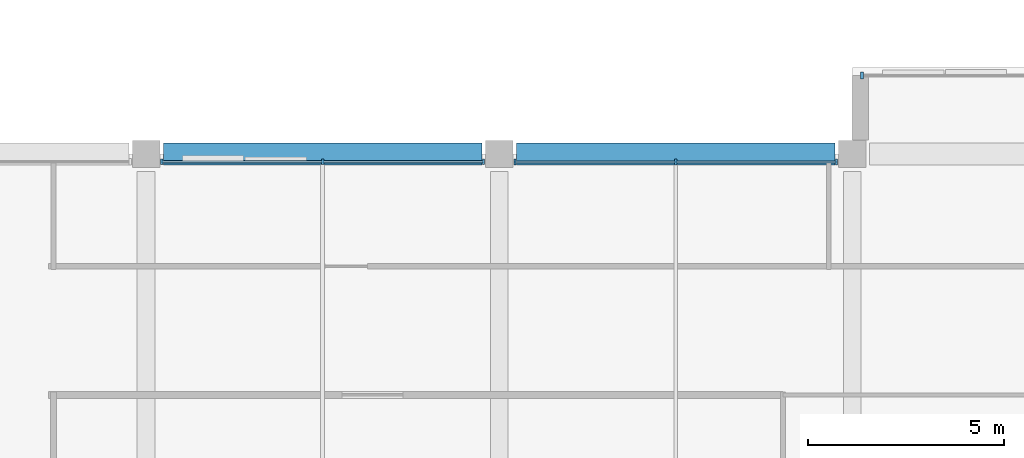
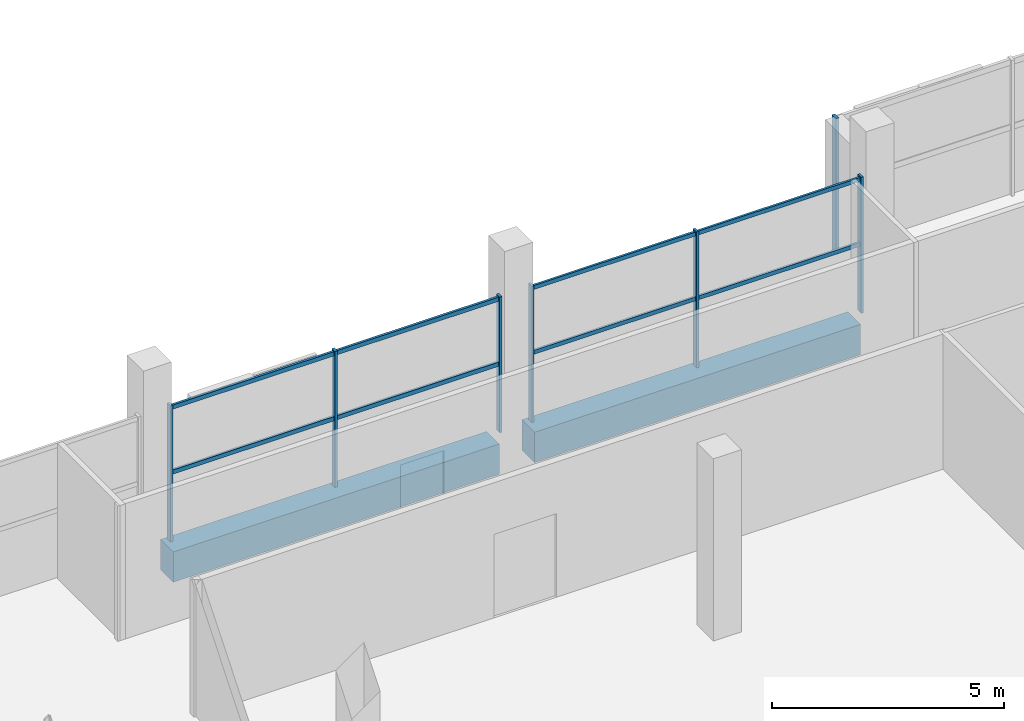
# One storey, part 49 of 111: 11 members, 2 beams, 3 elements without a shape of their own.
"""IFC4 building model written with IfcOpenShell, lengths in metres."""

import ifcopenshell
import ifcopenshell.guid

model = None  # the IFC model being written
_history = None  # IfcOwnerHistory: only IFC2X3 demands one
_inside = {}  # id of a spatial element -> (the spatial element, [elements in it])
_under = {}  # id of a project, library or spatial element -> (it, [spatial elements below it])
_declared = {}  # id of a project -> (the project, [libraries it declares])
_typed = {}  # id of a type object -> (the type object, [elements of that type])
_made_of = {}  # id of a material, layer set ... -> (it, [elements and type objects made of it])


def new_model(schema):
    """Start an empty IFC model of exactly this schema.

    Asked for "IFC4X3", IfcOpenShell would pick the latest addendum, in which some entities
    have other attributes; the version numbers below select the first issue.
    IFC2X3 requires an IfcOwnerHistory on every rooted entity: one is made here for all.
    """
    global model, _history
    if schema == "IFC4X3":
        model = ifcopenshell.file(schema_version=(4, 3, 0, 0))
    else:
        model = ifcopenshell.file(schema=schema)
    _inside.clear()
    _under.clear()
    _declared.clear()
    _typed.clear()
    _made_of.clear()
    _history = None
    if model.schema == "IFC2X3":
        org = make("IfcOrganization", Name="unknown")
        user = make(
            "IfcPersonAndOrganization",
            ThePerson=make("IfcPerson", FamilyName="unknown"),
            TheOrganization=org,
        )
        app = make(
            "IfcApplication",
            ApplicationDeveloper=org,
            Version="unknown",
            ApplicationFullName="unknown",
            ApplicationIdentifier="unknown",
        )
        _history = make(
            "IfcOwnerHistory",
            OwningUser=user,
            OwningApplication=app,
            ChangeAction="ADDED",
            CreationDate=0,
        )
    return model


def make(cls, **values):
    """One entity of the class cls with the attributes given. An attribute that is None is left unset."""
    return model.create_entity(
        cls, **{name: value for name, value in values.items() if value is not None}
    )


def rooted(cls, **values):
    """An entity with a GlobalId (a new one), such as an element, a storey or a relation."""
    return make(cls, GlobalId=ifcopenshell.guid.new(), OwnerHistory=_history, **values)


def si_unit(unit_type, name, prefix=None):
    """IfcSIUnit, for example si_unit("LENGTHUNIT", "METRE", prefix="MILLI")."""
    return make("IfcSIUnit", UnitType=unit_type, Prefix=prefix, Name=name)


def assignment(units):
    """IfcUnitAssignment: the units of a project."""
    return None if units is None else make("IfcUnitAssignment", Units=units)


def point(xyz):
    """IfcCartesianPoint."""
    return None if xyz is None else make("IfcCartesianPoint", Coordinates=xyz)


def direction(xyz):
    """IfcDirection."""
    return None if xyz is None else make("IfcDirection", DirectionRatios=xyz)


def frame(location, z_axis=None, x_axis=None):
    """IfcAxis2Placement3D, a coordinate frame: its origin and axes. An axis left out is left unset."""
    return make(
        "IfcAxis2Placement3D",
        Location=point(location),
        Axis=direction(z_axis),
        RefDirection=direction(x_axis),
    )


def frame_2d(location, x_axis=None):
    """IfcAxis2Placement2D, a coordinate frame in the plane: its origin and x axis."""
    return make(
        "IfcAxis2Placement2D", Location=point(location), RefDirection=direction(x_axis)
    )


def origin():
    """The frame at (0, 0, 0) with its axes left unset."""
    return frame((0.0, 0.0, 0.0))


def origin_2d():
    """The frame at (0, 0) in the plane with its x axis left unset."""
    return frame_2d((0.0, 0.0))


def place(relative_to, where):
    """IfcLocalPlacement: puts the frame where relative to a parent placement (None: the world)."""
    return make(
        "IfcLocalPlacement", PlacementRelTo=relative_to, RelativePlacement=where
    )


def context(
    kind, dimensions, precision=None, world=None, true_north=None, identifier=None
):
    """IfcGeometricRepresentationContext, for example the 3D "Model" context."""
    return make(
        "IfcGeometricRepresentationContext",
        ContextIdentifier=identifier,
        ContextType=kind,
        CoordinateSpaceDimension=dimensions,
        Precision=precision,
        WorldCoordinateSystem=world,
        TrueNorth=true_north,
    )


def subcontext(parent, identifier, kind, view, scale=None):
    """IfcGeometricRepresentationSubContext, for example "Body" below "Model"."""
    return make(
        "IfcGeometricRepresentationSubContext",
        ContextIdentifier=identifier,
        ContextType=kind,
        ParentContext=parent,
        TargetScale=scale,
        TargetView=view,
    )


def project(units=None, contexts=None):
    """IfcProject with its units and contexts."""
    return rooted(
        "IfcProject",
        Name="project",
        RepresentationContexts=contexts,
        UnitsInContext=assignment(units),
    )


def spatial(cls, under=None, at=None, **own):
    """A site, building, storey or space (cls), placed at a placement, below another one or the project."""
    s = rooted(cls, ObjectPlacement=at, **own)
    if under is not None:
        _under.setdefault(under.id(), (under, []))[1].append(s)
    return s


def profile(cls, at=None, kind="AREA", **sizes):
    """A parametric profile (cls). Its sizes go by their IFC names, for example OverallWidth=200.0."""
    return make(cls, ProfileType=kind, Position=at, **sizes)


def rectangle(**sizes):
    """IfcRectangleProfileDef."""
    return profile("IfcRectangleProfileDef", **sizes)


def extrude(swept, where, along, depth):
    """IfcExtrudedAreaSolid: the profile swept, set in the frame where, extruded along a direction by depth."""
    return make(
        "IfcExtrudedAreaSolid",
        SweptArea=swept,
        Position=where,
        ExtrudedDirection=direction(along),
        Depth=depth,
    )


def shape(context_of_items, identifier, shape_type, items):
    """IfcShapeRepresentation: the items that make up one representation, for example the "Body"."""
    return make(
        "IfcShapeRepresentation",
        ContextOfItems=context_of_items,
        RepresentationIdentifier=identifier,
        RepresentationType=shape_type,
        Items=items,
    )


def material(Name=None, Category=None):
    """IfcMaterial."""
    return make("IfcMaterial", Name=Name, Category=Category)


def material_profile(
    of_material, cross_section, Name=None, Category=None, Priority=None
):
    """IfcMaterialProfile: a cross section and its material."""
    return make(
        "IfcMaterialProfile",
        Name=Name,
        Material=of_material,
        Profile=cross_section,
        Priority=Priority,
        Category=Category,
    )


def profile_set(profiles, Name=None, composite=None):
    """IfcMaterialProfileSet."""
    return make(
        "IfcMaterialProfileSet",
        Name=Name,
        MaterialProfiles=profiles,
        CompositeProfile=composite,
    )


def made_of(thing, what):
    """Note that an element or type object is made of a material, layer set ...; save() writes the relation."""
    if what is not None:
        _made_of.setdefault(what.id(), (what, []))[1].append(thing)
    return thing


def type_object(cls, material=None, **own):
    """A type object (cls), such as IfcWallType, which elements share."""
    return made_of(rooted(cls, **own), material)


def element(
    cls,
    number,
    at=None,
    inside=None,
    cuts=None,
    type_object=None,
    material=None,
    context=None,
    identifier="Body",
    shape_type=None,
    held_by="IfcProductDefinitionShape",
    body=None,
    shapes=None,
    **own,
):
    """One element of the class cls, such as IfcWall. Its Tag is "e" and its number.

    at: its placement. inside: the storey or other place that contains it. cuts: it is an
    opening in that element (IfcRelVoidsElement). A single representation is given by context,
    identifier, shape_type and body (its items); several are given by shapes. held_by: the class
    of the entity that holds the representations. save() writes the other relations.
    """
    e = rooted(cls, Tag="e%d" % number, ObjectPlacement=at, **own)
    if body is not None:
        shapes = [shape(context, identifier, shape_type, body)]
    if shapes is not None:
        e.Representation = make(held_by, Representations=shapes)
    if inside is not None:
        _inside.setdefault(inside.id(), (inside, []))[1].append(e)
    if cuts is not None:
        rooted(
            "IfcRelVoidsElement", RelatingBuildingElement=cuts, RelatedOpeningElement=e
        )
    if type_object is not None:
        _typed.setdefault(type_object.id(), (type_object, []))[1].append(e)
    return made_of(e, material)


def aggregate(whole, parts):
    """IfcRelAggregates: a whole, such as a stair, and the parts it consists of."""
    return rooted("IfcRelAggregates", RelatingObject=whole, RelatedObjects=parts)


def save(model, path):
    """Write the relations noted so far, then the file.

    IfcRelAggregates (storeys below a building ...), IfcRelContainedInSpatialStructure (elements
    in a storey), IfcRelDefinesByType, IfcRelAssociatesMaterial and IfcRelDeclares: one each for
    every whole, place, type object, material and project.
    """
    for whole, parts in _under.values():
        aggregate(whole, parts)
    for where, things in _inside.values():
        rooted(
            "IfcRelContainedInSpatialStructure",
            RelatedElements=things,
            RelatingStructure=where,
        )
    for kind, things in _typed.values():
        rooted("IfcRelDefinesByType", RelatedObjects=things, RelatingType=kind)
    for what, things in _made_of.values():
        rooted("IfcRelAssociatesMaterial", RelatedObjects=things, RelatingMaterial=what)
    for by, libraries in _declared.values():
        rooted("IfcRelDeclares", RelatingContext=by, RelatedDefinitions=libraries)
    model.write(path)


model = new_model("IFC4")

# Units and contexts
model_context = context("Model", 3, precision=1e-05, world=origin(), true_north=direction((0.0, 1.0)))
body_context = subcontext(model_context, "Body", "Model", "MODEL_VIEW")
ifc_project = project(units=[si_unit("LENGTHUNIT", "METRE"), si_unit("AREAUNIT", "SQUARE_METRE"), si_unit("VOLUMEUNIT", "CUBIC_METRE"), si_unit("PLANEANGLEUNIT", "RADIAN"), si_unit("MASSUNIT", "GRAM", prefix="KILO"), si_unit("THERMODYNAMICTEMPERATUREUNIT", "KELVIN"), si_unit("POWERUNIT", "WATT")], contexts=[model_context])

# Site, building, storey
site_placement = place(None, origin())
site = spatial("IfcSite", under=ifc_project, at=site_placement, CompositionType="ELEMENT")
building_placement = place(site_placement, origin())
building = spatial("IfcBuilding", under=site, at=building_placement, Name="Sindhuravela Promenade Stadium", CompositionType="ELEMENT")
storey_placement = place(building_placement, frame((0.0, 0.0, 9.60009765625)))
storey = spatial("IfcBuildingStorey", under=building, at=storey_placement, Name="L02", CompositionType="ELEMENT", Elevation=9.60009765625)

# Curtain wall, member
ifc_material_1 = material(Name="Anodised architectural aluminium 6063-T6", Category="aluminium")
curtain_wall_type_1 = type_object("IfcCurtainWallType", Name="CW-MOD-3", PredefinedType="NOTDEFINED", material=ifc_material_1)
curtain_wall_1_placement = place(storey_placement, origin())
curtain_wall_1 = element("IfcCurtainWall", 1, at=curtain_wall_1_placement, inside=storey, type_object=curtain_wall_type_1, Name="Bronze curtain wall CW-NORTH-L02-162", PredefinedType="NOTDEFINED")
ifc_material_profile_1 = material_profile(ifc_material_1, rectangle(XDim=0.074951171875, YDim=0.175048828125, at=origin_2d()), Name="ALU MULL 75x175")
ifc_profile_set_1 = profile_set([ifc_material_profile_1], Name="Anodised architectural aluminium 6063-T6")
member_type_1 = type_object("IfcMemberType", Name="CW-MUL-1", PredefinedType="MULLION", material=ifc_profile_set_1)
member_1_placement = place(storey_placement, frame((126.2451171875, 155.0, 0.0), z_axis=(0.0, 0.0, 1.0), x_axis=(1.0, 0.0, 0.0)))
member_1 = element("IfcMember", 2, at=member_1_placement, type_object=member_type_1, Name="Curtain wall mullion CW-NORTH-L02-162-M1", PredefinedType="MULLION", context=body_context, shape_type="SweptSolid", body=[
    extrude(rectangle(XDim=0.074951171875, YDim=0.175048828125, at=origin_2d()), origin(), (0.0, 0.0, 1.0), 3.579833984375),
])
aggregate(curtain_wall_1, [member_1])

# Curtain wall, members
curtain_wall_type_2 = type_object("IfcCurtainWallType", Name="CW-MOD-1", PredefinedType="NOTDEFINED", material=ifc_material_1)
curtain_wall_2_placement = place(storey_placement, origin())
curtain_wall_2 = element("IfcCurtainWall", 3, at=curtain_wall_2_placement, inside=storey, type_object=curtain_wall_type_2, Name="Bronze curtain wall CW-NORTH-L02-160", PredefinedType="NOTDEFINED")
ifc_material_profile_2 = material_profile(ifc_material_1, rectangle(XDim=0.06005859375, YDim=0.139892578125, at=origin_2d()), Name="ALU M60x140")
ifc_profile_set_2 = profile_set([ifc_material_profile_2], Name="Anodised architectural aluminium 6063-T6")
member_type_2 = type_object("IfcMemberType", Name="CW-MUL-5", PredefinedType="MULLION", material=ifc_profile_set_2)
member_2_placement = place(storey_placement, frame((108.39990234375, 152.800048828125, 0.0), z_axis=(0.0, 0.0, 1.0), x_axis=(1.0, 0.0, 0.0)))
member_2 = element("IfcMember", 4, at=member_2_placement, type_object=member_type_2, Name="Curtain wall mullion CW-NORTH-L02-160-M1", PredefinedType="MULLION", context=body_context, shape_type="SweptSolid", body=[
    extrude(rectangle(XDim=0.06005859375, YDim=0.139892578125, at=origin_2d()), origin(), (0.0, 0.0, 1.0), 3.579833984375),
])
member_3_placement = place(storey_placement, frame((112.5, 152.800048828125, 0.0), z_axis=(0.0, 0.0, 1.0), x_axis=(1.0, 0.0, 0.0)))
member_3 = element("IfcMember", 5, at=member_3_placement, type_object=member_type_2, Name="Curtain wall mullion CW-NORTH-L02-160-M2", PredefinedType="MULLION", context=body_context, shape_type="SweptSolid", body=[
    extrude(rectangle(XDim=0.06005859375, YDim=0.139892578125, at=origin_2d()), origin(), (0.0, 0.0, 1.0), 3.579833984375),
])
member_4_placement = place(storey_placement, frame((116.60009765625, 152.800048828125, 0.0), z_axis=(0.0, 0.0, 1.0), x_axis=(1.0, 0.0, 0.0)))
member_4 = element("IfcMember", 6, at=member_4_placement, type_object=member_type_2, Name="Curtain wall mullion CW-NORTH-L02-160-M3", PredefinedType="MULLION", context=body_context, shape_type="SweptSolid", body=[
    extrude(rectangle(XDim=0.06005859375, YDim=0.139892578125, at=origin_2d()), origin(), (0.0, 0.0, 1.0), 3.579833984375),
])

curtain_wall_type_3 = type_object("IfcCurtainWallType", Name="CW-MOD-2", PredefinedType="NOTDEFINED", material=ifc_material_1)
curtain_wall_3_placement = place(storey_placement, origin())
curtain_wall_3 = element("IfcCurtainWall", 7, at=curtain_wall_3_placement, inside=storey, type_object=curtain_wall_type_3, Name="Bronze curtain wall CW-NORTH-L02-161", PredefinedType="NOTDEFINED")
ifc_material_profile_3 = material_profile(ifc_material_1, rectangle(XDim=0.054931640625, YDim=0.14990234375, at=origin_2d()), Name="ALU M55x150")
ifc_profile_set_3 = profile_set([ifc_material_profile_3], Name="Anodised architectural aluminium 6063-T6")
member_type_3 = type_object("IfcMemberType", Name="CW-MUL-6", PredefinedType="MULLION", material=ifc_profile_set_3)
member_5_placement = place(storey_placement, frame((117.39990234375, 152.800048828125, 0.0), z_axis=(0.0, 0.0, 1.0), x_axis=(1.0, 0.0, 0.0)))
member_5 = element("IfcMember", 8, at=member_5_placement, type_object=member_type_3, Name="Curtain wall mullion CW-NORTH-L02-161-M1", PredefinedType="MULLION", context=body_context, shape_type="SweptSolid", body=[
    extrude(rectangle(XDim=0.054931640625, YDim=0.14990234375, at=origin_2d()), origin(), (0.0, 0.0, 1.0), 3.579833984375),
])
member_6_placement = place(storey_placement, frame((121.5, 152.800048828125, 0.0), z_axis=(0.0, 0.0, 1.0), x_axis=(1.0, 0.0, 0.0)))
member_6 = element("IfcMember", 9, at=member_6_placement, type_object=member_type_3, Name="Curtain wall mullion CW-NORTH-L02-161-M2", PredefinedType="MULLION", context=body_context, shape_type="SweptSolid", body=[
    extrude(rectangle(XDim=0.054931640625, YDim=0.14990234375, at=origin_2d()), origin(), (0.0, 0.0, 1.0), 3.579833984375),
])
member_7_placement = place(storey_placement, frame((125.60009765625, 152.800048828125, 0.0), z_axis=(0.0, 0.0, 1.0), x_axis=(1.0, 0.0, 0.0)))
member_7 = element("IfcMember", 10, at=member_7_placement, type_object=member_type_3, Name="Curtain wall mullion CW-NORTH-L02-161-M3", PredefinedType="MULLION", context=body_context, shape_type="SweptSolid", body=[
    extrude(rectangle(XDim=0.054931640625, YDim=0.14990234375, at=origin_2d()), origin(), (0.0, 0.0, 1.0), 3.579833984375),
])

# Member
ifc_material_profile_4 = material_profile(ifc_material_1, rectangle(XDim=0.06005859375, YDim=0.110107421875, at=origin_2d()), Name="ALU T60x110")
ifc_profile_set_4 = profile_set([ifc_material_profile_4], Name="Anodised architectural aluminium 6063-T6")
member_type_4 = type_object("IfcMemberType", Name="CW-TRN-5", PredefinedType="USERDEFINED", material=ifc_profile_set_4)
member_8_placement = place(storey_placement, frame((108.375, 152.800048828125, 1.789794921875), z_axis=(1.0, 0.0, 0.0), x_axis=(0.0, 1.0, 0.0)))
member_8 = element("IfcMember", 11, at=member_8_placement, type_object=member_type_4, Name="Curtain wall transom CW-NORTH-L02-160-T1", ObjectType="TRANSOM", PredefinedType="USERDEFINED", context=body_context, shape_type="SweptSolid", body=[
    extrude(rectangle(XDim=0.06005859375, YDim=0.110107421875, at=origin_2d()), origin(), (0.0, 0.0, 1.0), 8.25),
])

member_9_placement = place(storey_placement, frame((108.375, 152.800048828125, 3.5), z_axis=(1.0, 0.0, 0.0), x_axis=(0.0, 1.0, 0.0)))
member_9 = element("IfcMember", 12, at=member_9_placement, type_object=member_type_4, Name="Curtain wall transom CW-NORTH-L02-160-T2", ObjectType="TRANSOM", PredefinedType="USERDEFINED", context=body_context, shape_type="SweptSolid", body=[
    extrude(rectangle(XDim=0.06005859375, YDim=0.110107421875, at=origin_2d()), origin(), (0.0, 0.0, 1.0), 8.25),
])

aggregate(curtain_wall_2, [member_2, member_3, member_4, member_8, member_9])

ifc_material_profile_5 = material_profile(ifc_material_1, rectangle(XDim=0.054931640625, YDim=0.10498046875, at=origin_2d()), Name="ALU T55x105")
ifc_profile_set_5 = profile_set([ifc_material_profile_5], Name="Anodised architectural aluminium 6063-T6")
member_type_5 = type_object("IfcMemberType", Name="CW-TRN-6", PredefinedType="USERDEFINED", material=ifc_profile_set_5)
member_10_placement = place(storey_placement, frame((117.375, 152.800048828125, 1.789794921875), z_axis=(1.0, 0.0, 0.0), x_axis=(0.0, 1.0, 0.0)))
member_10 = element("IfcMember", 13, at=member_10_placement, type_object=member_type_5, Name="Curtain wall transom CW-NORTH-L02-161-T1", ObjectType="TRANSOM", PredefinedType="USERDEFINED", context=body_context, shape_type="SweptSolid", body=[
    extrude(rectangle(XDim=0.054931640625, YDim=0.10498046875, at=origin_2d()), origin(), (0.0, 0.0, 1.0), 8.25),
])

member_11_placement = place(storey_placement, frame((117.375, 152.800048828125, 3.5), z_axis=(1.0, 0.0, 0.0), x_axis=(0.0, 1.0, 0.0)))
member_11 = element("IfcMember", 14, at=member_11_placement, type_object=member_type_5, Name="Curtain wall transom CW-NORTH-L02-161-T2", ObjectType="TRANSOM", PredefinedType="USERDEFINED", context=body_context, shape_type="SweptSolid", body=[
    extrude(rectangle(XDim=0.054931640625, YDim=0.10498046875, at=origin_2d()), origin(), (0.0, 0.0, 1.0), 8.25),
])

aggregate(curtain_wall_3, [member_5, member_6, member_7, member_10, member_11])

# Beams
ifc_material_2 = material(Name="Concrete M40", Category="concrete")
ifc_material_profile_6 = material_profile(ifc_material_2, rectangle(XDim=0.550048828125, YDim=0.800048828125, at=origin_2d()), Name="RC 550x800")
ifc_profile_set_6 = profile_set([ifc_material_profile_6], Name="Concrete M40")
beam_type = type_object("IfcBeamType", Name="RC-BM-550x800", PredefinedType="BEAM", material=ifc_profile_set_6)
for number, where, z_axis, x_axis, name in (
    (15, (108.43994140625, 153.0, -0.68017578125), (1.0, 0.0, 0.0), (0.0, 1.0, 0.0), "Primary girder GB05 NORTH L02"),
    (16, (117.43994140625, 153.0, -0.68017578125), (1.0, 0.0, 0.0), (0.0, 1.0, 0.0), "Primary girder GB05 NORTH L02"),
):
    element("IfcBeam", number, at=place(storey_placement, frame(where, z_axis=z_axis, x_axis=x_axis)), inside=storey, type_object=beam_type, Name=name, PredefinedType="BEAM", context=body_context, shape_type="SweptSolid", body=[
        extrude(rectangle(XDim=0.550048828125, YDim=0.800048828125, at=origin_2d()), origin(), (0.0, 0.0, 1.0), 8.1201171875),
    ])

save(model, "model.ifc")
